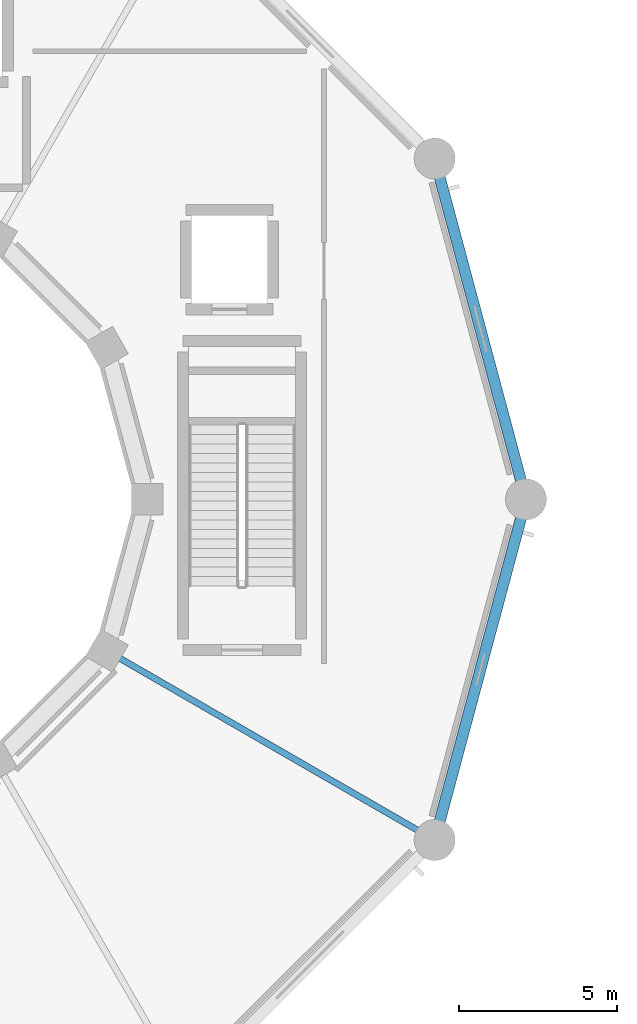
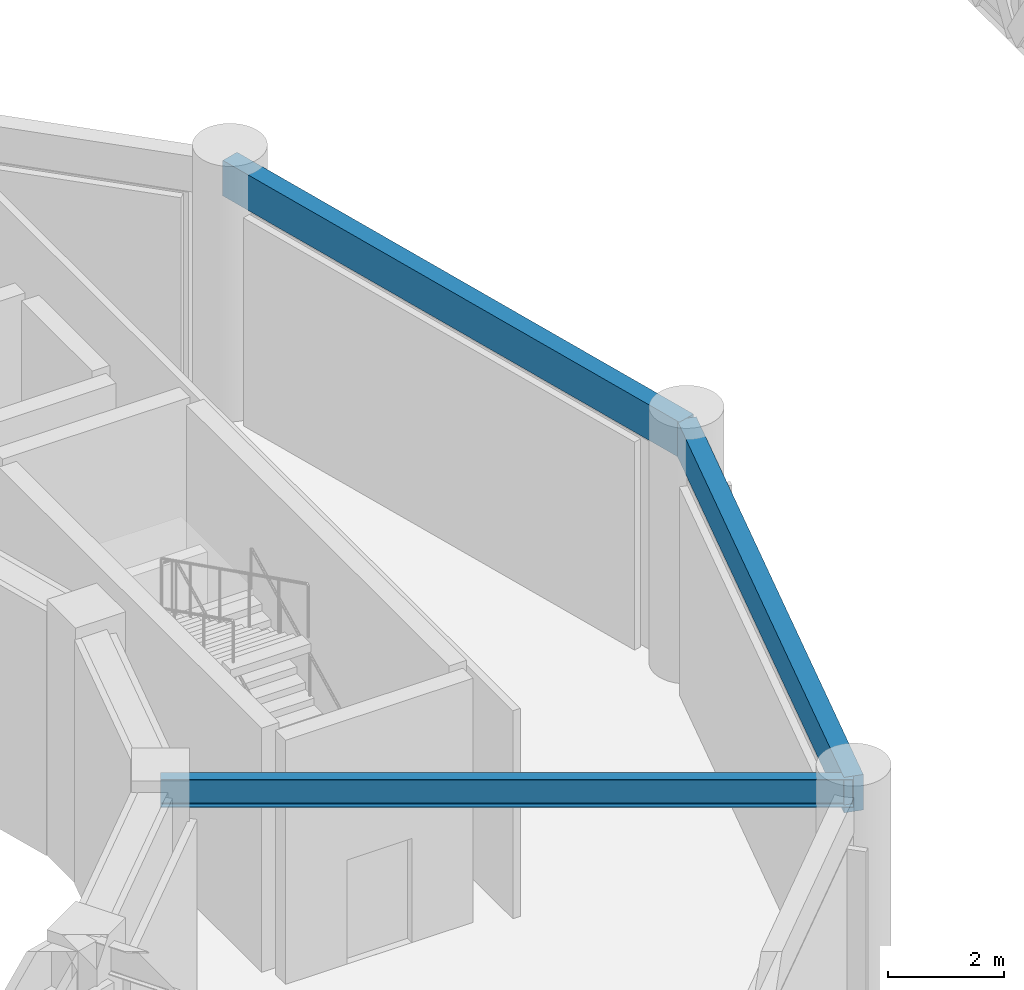
# One storey, part 61 of 155: 3 beams.
"""IFC4 building model written with IfcOpenShell, lengths in metres."""

from ifc_helpers import new_model, si_unit, direction, frame, origin, origin_2d, place, context, subcontext, project, spatial, rectangle, i_section, extrude, material, material_profile, profile_set, type_object, element, save


model = new_model("IFC4")

# Units and contexts
model_context = context("Model", 3, precision=1e-05, world=origin(), true_north=direction((0.0, 1.0)))
body_context = subcontext(model_context, "Body", "Model", "MODEL_VIEW")
ifc_project = project(units=[si_unit("LENGTHUNIT", "METRE"), si_unit("AREAUNIT", "SQUARE_METRE"), si_unit("VOLUMEUNIT", "CUBIC_METRE"), si_unit("PLANEANGLEUNIT", "RADIAN"), si_unit("MASSUNIT", "GRAM", prefix="KILO")], contexts=[model_context])

# Site, building, storey
site_placement = place(None, origin())
site = spatial("IfcSite", under=ifc_project, at=site_placement, CompositionType="ELEMENT")
building_placement = place(site_placement, origin())
building = spatial("IfcBuilding", under=site, at=building_placement, Name="Haizhuo Lancet Aquarium", CompositionType="ELEMENT")
storey_placement = place(building_placement, frame((0.0, 0.0, 10.800048828125)))
storey = spatial("IfcBuildingStorey", under=building, at=storey_placement, Name="L02", CompositionType="ELEMENT", Elevation=10.800048828125)

# Beams
ifc_material_1 = material(Name="Steel S355", Category="steel")
ifc_material_profile_1 = material_profile(ifc_material_1, i_section(OverallWidth=0.199951171875, OverallDepth=0.60009765625, WebThickness=0.010986328125, FlangeThickness=0.01708984375, FilletRadius=0.02197265625, at=origin_2d()), Name="HN 600x200x11x17")
ifc_profile_set_1 = profile_set([ifc_material_profile_1], Name="Steel S355")
beam_type_1 = type_object("IfcBeamType", Name="BM-ST-HN600", PredefinedType="BEAM", material=ifc_profile_set_1)
beam_placement = place(storey_placement, frame((8.31396484375, -4.800048828125, 4.85986328125), z_axis=(0.866020924479, -0.500007758305, 0.0), x_axis=(0.500007758305, 0.866020924479, 0.0)))
element("IfcBeam", 1, at=beam_placement, inside=storey, type_object=beam_type_1, Name="L02 radial gallery girder 12", PredefinedType="BEAM", context=body_context, shape_type="SweptSolid", body=[
    extrude(i_section(OverallWidth=0.199951171875, OverallDepth=0.60009765625, WebThickness=0.010986328125, FlangeThickness=0.01708984375, FilletRadius=0.02197265625, at=origin_2d()), origin(), (0.0, 0.0, 1.0), 11.999755859375),
])
ifc_material_2 = material(Name="Concrete C40/50", Category="concrete")
ifc_material_profile_2 = material_profile(ifc_material_2, rectangle(XDim=0.35009765625, YDim=0.75, at=origin_2d()), Name="RC-SP 350x750")
ifc_profile_set_2 = profile_set([ifc_material_profile_2], Name="Concrete C40/50")
beam_type_2 = type_object("IfcBeamType", Name="SPN-RC-350x750", PredefinedType="SPANDREL", material=ifc_profile_set_2)
for number, where, z_axis, x_axis, name in (
    (2, (21.60009765625, 0.0, 4.784912109375), (-0.258833949056, 0.965921832664, 0.0), (-0.965921832664, -0.258833949056, 0.0), "L02 drum perimeter spandrel 1"),
    (3, (18.7060546875, -10.800048828125, 4.784912109375), (0.258833949056, 0.965921832664, 0.0), (-0.965921832664, 0.258833949056, 0.0), "L02 drum perimeter spandrel 12"),
):
    element("IfcBeam", number, at=place(storey_placement, frame(where, z_axis=z_axis, x_axis=x_axis)), inside=storey, type_object=beam_type_2, Name=name, PredefinedType="SPANDREL", context=body_context, shape_type="SweptSolid", body=[
        extrude(rectangle(XDim=0.35009765625, YDim=0.75, at=origin_2d()), origin(), (0.0, 0.0, 1.0), 11.18115234375),
    ])

save(model, "model.ifc")
